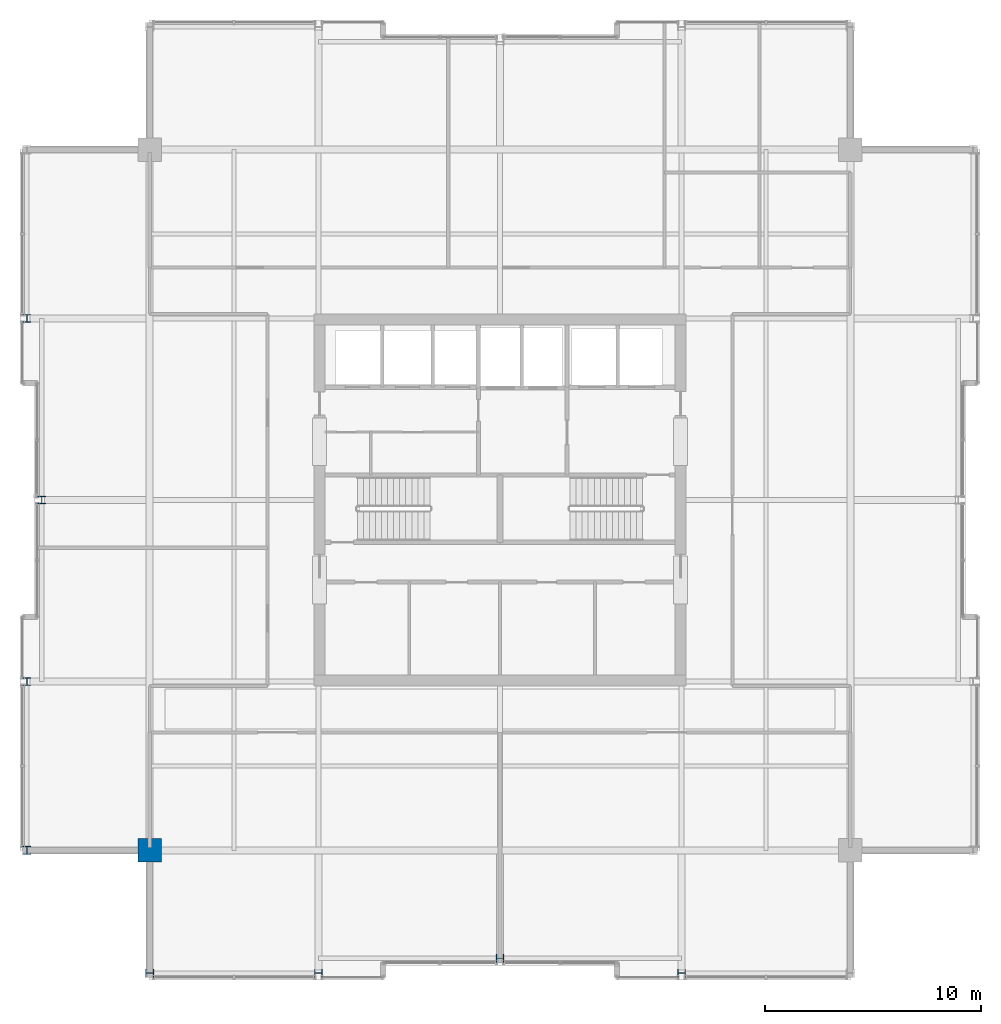
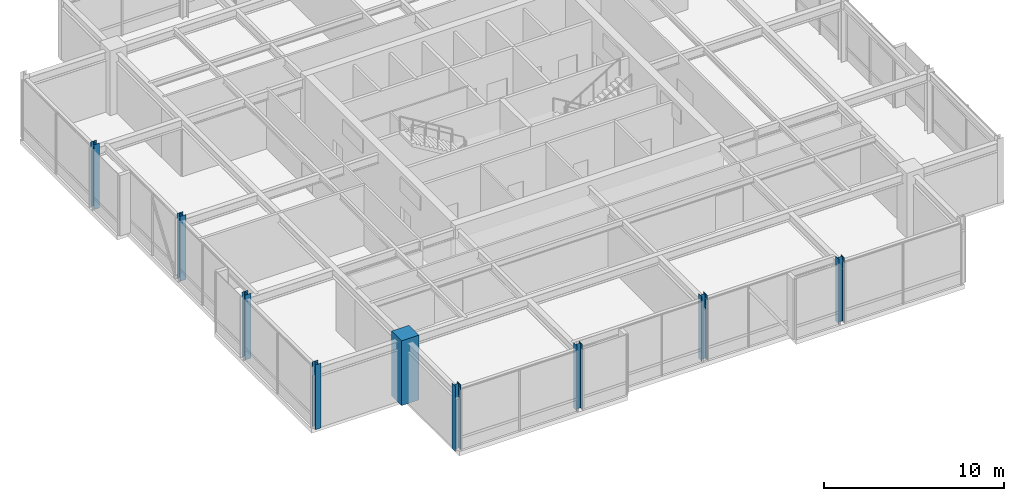
# One storey, part 1 of 34: 9 columns.
"""IFC4 building model written with IfcOpenShell, lengths in metres."""

from ifc_helpers import new_model, si_unit, direction, frame, origin, origin_2d, place, context, subcontext, project, spatial, rectangle, i_section, extrude, material, material_profile, profile_set, type_object, element, save


model = new_model("IFC4")

# Units and contexts
model_context = context("Model", 3, precision=1e-05, world=origin(), true_north=direction((0.0, 1.0)))
body_context = subcontext(model_context, "Body", "Model", "MODEL_VIEW")
ifc_project = project(units=[si_unit("LENGTHUNIT", "METRE"), si_unit("AREAUNIT", "SQUARE_METRE"), si_unit("VOLUMEUNIT", "CUBIC_METRE"), si_unit("PLANEANGLEUNIT", "RADIAN"), si_unit("MASSUNIT", "GRAM", prefix="KILO")], contexts=[model_context])

# Site, building, storey
site_placement = place(None, origin())
site = spatial("IfcSite", under=ifc_project, at=site_placement, CompositionType="ELEMENT")
building_placement = place(site_placement, origin())
building = spatial("IfcBuilding", under=site, at=building_placement, Name="Drelvath Grand Hotel", CompositionType="ELEMENT")
storey_placement = place(building_placement, frame((0.0, 0.0, 294.199951171875)))
storey = spatial("IfcBuildingStorey", under=building, at=storey_placement, Name="L77", CompositionType="ELEMENT", Elevation=294.199951171875)

# Columns
ifc_material_1 = material(Name="Concrete f'c 55 MPa", Category="concrete")
ifc_material_profile_1 = material_profile(ifc_material_1, rectangle(XDim=1.10009765625, YDim=1.10009765625, at=origin_2d()), Name="MC1100X1100")
ifc_profile_set_1 = profile_set([ifc_material_profile_1], Name="Concrete f'c 55 MPa")
column_type_1 = type_object("IfcColumnType", Name="Composite Mega Column MC1100X1100", PredefinedType="COLUMN", material=ifc_profile_set_1)
column_placement = place(storey_placement, frame((-16.199951171875, 10.800048828125, 0.0), z_axis=(0.0, 0.0, 1.0), x_axis=(1.0, 0.0, 0.0)))
element("IfcColumn", 1, at=column_placement, inside=storey, type_object=column_type_1, Name="L77 Composite Mega Column MC-SW", PredefinedType="COLUMN", context=body_context, shape_type="SweptSolid", body=[
    extrude(rectangle(XDim=1.10009765625, YDim=1.10009765625, at=origin_2d()), origin(), (0.0, 0.0, 1.0), 4.400146484375),
])
ifc_material_2 = material(Name="Steel ASTM A913 Gr 65", Category="steel")
ifc_material_profile_2 = material_profile(ifc_material_2, i_section(OverallWidth=0.368896484375, OverallDepth=0.356201171875, WebThickness=0.01123046875, FlangeThickness=0.01806640625, FilletRadius=0.02490234375, at=origin_2d()), Name="W14X90")
ifc_profile_set_2 = profile_set([ifc_material_profile_2], Name="Steel ASTM A913 Gr 65")
column_type_2 = type_object("IfcColumnType", Name="Perimeter Steel Column W14X90", PredefinedType="COLUMN", material=ifc_profile_set_2)
for number, where, z_axis, x_axis, name in (
    (2, (-21.8798828125, 10.800048828125, 0.0), (0.0, 0.0, 1.0), (1.0, 0.0, 0.0), "L77 Structural Column TCW-C"),
    (3, (-21.8798828125, 18.60009765625, 0.0), (0.0, 0.0, 1.0), (1.0, 0.0, 0.0), "L77 Structural Column TCW-D"),
    (4, (-21.199951171875, 27.0, 0.0), (0.0, 0.0, 1.0), (1.0, 0.0, 0.0), "L77 Structural Column TCW-E"),
    (5, (-21.8798828125, 35.39990234375, 0.0), (0.0, 0.0, 1.0), (1.0, 0.0, 0.0), "L77 Structural Column TCW-F"),
    (6, (-16.199951171875, 5.1201171875, 0.0), (0.0, 0.0, 1.0), (0.0, 1.0, 0.0), "L77 Structural Column TCS-3"),
    (7, (-8.39990234375, 5.1201171875, 0.0), (0.0, 0.0, 1.0), (0.0, 1.0, 0.0), "L77 Structural Column TCS-4"),
    (8, (0.0, 5.800048828125, 0.0), (0.0, 0.0, 1.0), (0.0, 1.0, 0.0), "L77 Structural Column TCS-5"),
    (9, (8.39990234375, 5.1201171875, 0.0), (0.0, 0.0, 1.0), (0.0, 1.0, 0.0), "L77 Structural Column TCS-6"),
):
    element("IfcColumn", number, at=place(storey_placement, frame(where, z_axis=z_axis, x_axis=x_axis)), inside=storey, type_object=column_type_2, Name=name, PredefinedType="COLUMN", context=body_context, shape_type="SweptSolid", body=[
        extrude(i_section(OverallWidth=0.368896484375, OverallDepth=0.356201171875, WebThickness=0.01123046875, FlangeThickness=0.01806640625, FilletRadius=0.02490234375, at=origin_2d()), origin(), (0.0, 0.0, 1.0), 4.39697265625),
    ])

save(model, "model.ifc")
